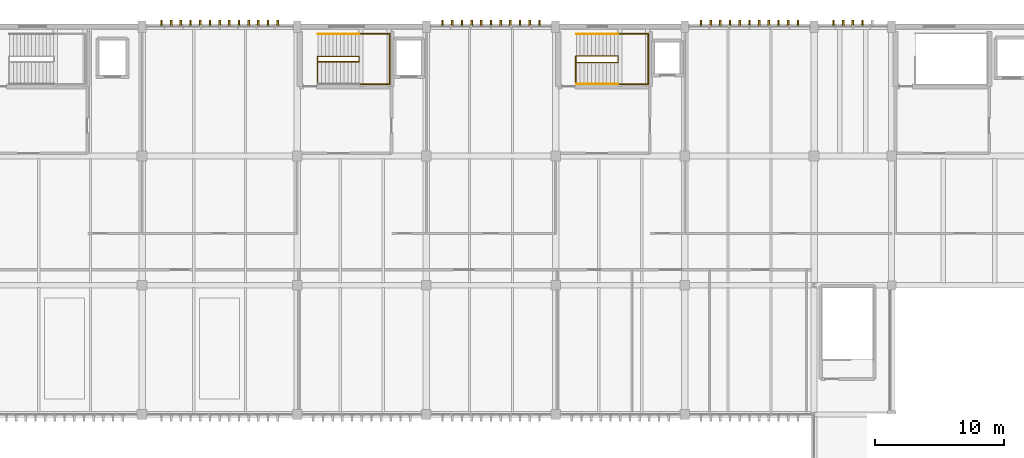
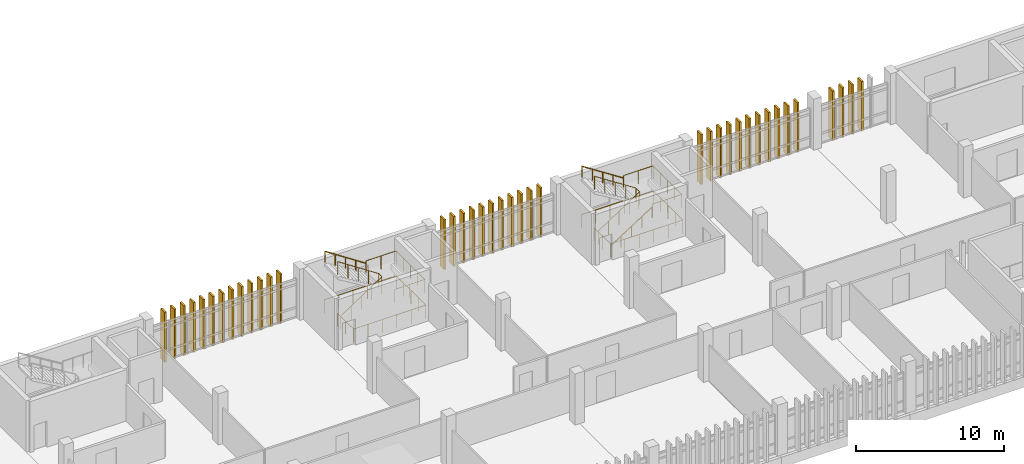
# One storey, part 159 of 161: 39 shading devices, 9 railings.
"""IFC4 building model written with IfcOpenShell, lengths in metres."""

from ifc_helpers import new_model, si_unit, direction, frame, origin, origin_2d, place, context, subcontext, project, spatial, rectangle, circle, extrude, material, type_object, element, save


model = new_model("IFC4")

# Units and contexts
model_context = context("Model", 3, precision=1e-05, world=origin(), true_north=direction((0.0, 1.0)))
body_context = subcontext(model_context, "Body", "Model", "MODEL_VIEW")
ifc_project = project(units=[si_unit("LENGTHUNIT", "METRE"), si_unit("AREAUNIT", "SQUARE_METRE"), si_unit("VOLUMEUNIT", "CUBIC_METRE"), si_unit("PLANEANGLEUNIT", "RADIAN"), si_unit("MASSUNIT", "GRAM", prefix="KILO")], contexts=[model_context])

# Site, building, storey
site_placement = place(None, origin())
site = spatial("IfcSite", under=ifc_project, at=site_placement, CompositionType="ELEMENT")
building_placement = place(site_placement, origin())
building = spatial("IfcBuilding", under=site, at=building_placement, Name="Mersad Railyard Sports Hall", CompositionType="ELEMENT")
storey_placement = place(building_placement, frame((0.0, 0.0, 4.800048828125)))
storey = spatial("IfcBuildingStorey", under=building, at=storey_placement, Name="L01", CompositionType="ELEMENT", Elevation=4.800048828125)

# Railings
ifc_material_1 = material(Name="Steel S355", Category="steel")
railing_type_1 = type_object("IfcRailingType", Name="ARC-RL-GR01", PredefinedType="GUARDRAIL", material=ifc_material_1)
railing_1_placement = place(storey_placement, frame((92.56005859375, 112.68994140625, 0.0)))
element("IfcRailing", 1, at=railing_1_placement, inside=storey, type_object=railing_type_1, Name="Interior guard GR01-0040", PredefinedType="GUARDRAIL", context=body_context, shape_type="SweptSolid", body=[
    extrude(circle(Radius=0.02392578125, at=origin_2d()), frame((0.0, 0.0, 1.09619140625), z_axis=(0.0, -1.0, 0.0), x_axis=(1.0, 0.0, 0.0)), (0.0, 0.0, 1.0), 2.169921875),
    extrude(circle(Radius=0.02392578125, at=origin_2d()), frame((0.0, -2.169921875, 1.09619140625), z_axis=(1.0, 0.0, 0.0), x_axis=(0.0, 1.0, 0.0)), (0.0, 0.0, 1.0), 5.619873046875),
    extrude(circle(Radius=0.02392578125, at=origin_2d()), frame((5.619873046875, -2.169921875, 1.09619140625), z_axis=(0.0, 1.0, 0.0), x_axis=(-1.0, 0.0, 0.0)), (0.0, 0.0, 1.0), 3.9599609375),
    extrude(circle(Radius=0.02392578125, at=origin_2d()), frame((5.619873046875, 1.7900390625, 1.09619140625), z_axis=(-1.0, 0.0, 0.0), x_axis=(0.0, -1.0, 0.0)), (0.0, 0.0, 1.0), 5.619873046875),
    extrude(circle(Radius=0.02099609375, at=origin_2d()), origin(), (0.0, 0.0, 1.0), 1.072021484375),
    extrude(circle(Radius=0.02099609375, at=origin_2d()), frame((0.0, -1.0849609375, 0.0)), (0.0, 0.0, 1.0), 1.072021484375),
    extrude(circle(Radius=0.02099609375, at=origin_2d()), frame((0.0, -2.169921875, 0.0)), (0.0, 0.0, 1.0), 1.072021484375),
    extrude(circle(Radius=0.02099609375, at=origin_2d()), frame((1.1240234375, -2.169921875, 0.0)), (0.0, 0.0, 1.0), 1.072021484375),
    extrude(circle(Radius=0.02099609375, at=origin_2d()), frame((2.248046875, -2.169921875, 0.0)), (0.0, 0.0, 1.0), 1.072021484375),
    extrude(circle(Radius=0.02099609375, at=origin_2d()), frame((3.371826171875, -2.169921875, 0.0)), (0.0, 0.0, 1.0), 1.072021484375),
    extrude(circle(Radius=0.02099609375, at=origin_2d()), frame((4.495849609375, -2.169921875, 0.0)), (0.0, 0.0, 1.0), 1.072021484375),
    extrude(circle(Radius=0.02099609375, at=origin_2d()), frame((5.619873046875, -2.169921875, 0.0)), (0.0, 0.0, 1.0), 1.072021484375),
    extrude(circle(Radius=0.02099609375, at=origin_2d()), frame((5.619873046875, -1.179931640625, 0.0)), (0.0, 0.0, 1.0), 1.072021484375),
    extrude(circle(Radius=0.02099609375, at=origin_2d()), frame((5.619873046875, -0.18994140625, 0.0)), (0.0, 0.0, 1.0), 1.072021484375),
    extrude(circle(Radius=0.02099609375, at=origin_2d()), frame((5.619873046875, 0.800048828125, 0.0)), (0.0, 0.0, 1.0), 1.072021484375),
    extrude(circle(Radius=0.02099609375, at=origin_2d()), frame((5.619873046875, 1.7900390625, 0.0)), (0.0, 0.0, 1.0), 1.072021484375),
    extrude(circle(Radius=0.02099609375, at=origin_2d()), frame((4.495849609375, 1.7900390625, 0.0)), (0.0, 0.0, 1.0), 1.072021484375),
    extrude(circle(Radius=0.02099609375, at=origin_2d()), frame((3.371826171875, 1.7900390625, 0.0)), (0.0, 0.0, 1.0), 1.072021484375),
    extrude(circle(Radius=0.02099609375, at=origin_2d()), frame((2.248046875, 1.7900390625, 0.0)), (0.0, 0.0, 1.0), 1.072021484375),
    extrude(circle(Radius=0.02099609375, at=origin_2d()), frame((1.1240234375, 1.7900390625, 0.0)), (0.0, 0.0, 1.0), 1.072021484375),
    extrude(circle(Radius=0.02099609375, at=origin_2d()), frame((0.0, 1.7900390625, 0.0)), (0.0, 0.0, 1.0), 1.072021484375),
])
railing_2_placement = place(storey_placement, frame((92.60009765625, 112.2900390625, 0.0)))
element("IfcRailing", 2, at=railing_2_placement, inside=storey, type_object=railing_type_1, Name="Interior guard GR01-0043", PredefinedType="GUARDRAIL", context=body_context, shape_type="SweptSolid", body=[
    extrude(circle(Radius=0.02392578125, at=origin_2d()), frame((0.0, 0.0, 1.09619140625), z_axis=(0.835271834381, 0.0, 0.549837214719), x_axis=(0.0, 1.0, 0.0)), (0.0, 0.0, 1.0), 3.819091796875),
    extrude(circle(Radius=0.02392578125, at=origin_2d()), frame((3.18994140625, 0.0, 3.19580078125), z_axis=(0.0, 1.0, 0.0), x_axis=(-1.0, 0.0, 0.0)), (0.0, 0.0, 1.0), 0.419921875),
    extrude(circle(Radius=0.02392578125, at=origin_2d()), frame((3.18994140625, 0.419921875, 3.19580078125), z_axis=(-0.835242474824, 0.0, 0.549881812983), x_axis=(0.0, -1.0, 0.0)), (0.0, 0.0, 1.0), 3.819091796875),
    extrude(circle(Radius=0.02099609375, at=origin_2d()), origin(), (0.0, 0.0, 1.0), 1.072021484375),
    extrude(circle(Radius=0.02099609375, at=origin_2d()), frame((0.79736328125, 0.0, 0.52490234375)), (0.0, 0.0, 1.0), 1.072021484375),
    extrude(circle(Radius=0.02099609375, at=origin_2d()), frame((1.594970703125, 0.0, 1.0498046875)), (0.0, 0.0, 1.0), 1.072021484375),
    extrude(circle(Radius=0.02099609375, at=origin_2d()), frame((2.392578125, 0.0, 1.574951171875)), (0.0, 0.0, 1.0), 1.072021484375),
    extrude(circle(Radius=0.02099609375, at=origin_2d()), frame((3.18994140625, 0.0, 2.099853515625)), (0.0, 0.0, 1.0), 1.072021484375),
    extrude(circle(Radius=0.02099609375, at=origin_2d()), frame((3.18994140625, 0.419921875, 2.099853515625)), (0.0, 0.0, 1.0), 1.072021484375),
    extrude(circle(Radius=0.02099609375, at=origin_2d()), frame((2.392578125, 0.419921875, 2.625)), (0.0, 0.0, 1.0), 1.072021484375),
    extrude(circle(Radius=0.02099609375, at=origin_2d()), frame((1.594970703125, 0.419921875, 3.14990234375)), (0.0, 0.0, 1.0), 1.072021484375),
    extrude(circle(Radius=0.02099609375, at=origin_2d()), frame((0.79736328125, 0.419921875, 3.6748046875)), (0.0, 0.0, 1.0), 1.072021484375),
    extrude(circle(Radius=0.02099609375, at=origin_2d()), frame((0.0, 0.419921875, 4.199951171875)), (0.0, 0.0, 1.0), 1.072021484375),
])
railing_3_placement = place(storey_placement, frame((95.7900390625, 110.56005859375, 2.099853515625)))
element("IfcRailing", 3, at=railing_3_placement, inside=storey, type_object=railing_type_1, Name="Interior guard GR01-0044", PredefinedType="GUARDRAIL", context=body_context, shape_type="SweptSolid", body=[
    extrude(circle(Radius=0.02392578125, at=origin_2d()), frame((0.0, 0.0, 1.09619140625), z_axis=(1.0, 0.0, 0.0), x_axis=(0.0, 1.0, 0.0)), (0.0, 0.0, 1.0), 2.349853515625),
    extrude(circle(Radius=0.02392578125, at=origin_2d()), frame((2.349853515625, 0.0, 1.09619140625), z_axis=(0.0, 1.0, 0.0), x_axis=(-1.0, 0.0, 0.0)), (0.0, 0.0, 1.0), 3.8798828125),
    extrude(circle(Radius=0.02392578125, at=origin_2d()), frame((2.349853515625, 3.8798828125, 1.09619140625), z_axis=(-1.0, 0.0, 0.0), x_axis=(0.0, -1.0, 0.0)), (0.0, 0.0, 1.0), 2.349853515625),
    extrude(circle(Radius=0.02099609375, at=origin_2d()), origin(), (0.0, 0.0, 1.0), 1.072021484375),
    extrude(circle(Radius=0.02099609375, at=origin_2d()), frame((1.1748046875, 0.0, 0.0)), (0.0, 0.0, 1.0), 1.072021484375),
    extrude(circle(Radius=0.02099609375, at=origin_2d()), frame((2.349853515625, 0.0, 0.0)), (0.0, 0.0, 1.0), 1.072021484375),
    extrude(circle(Radius=0.02099609375, at=origin_2d()), frame((2.349853515625, 0.969970703125, 0.0)), (0.0, 0.0, 1.0), 1.072021484375),
    extrude(circle(Radius=0.02099609375, at=origin_2d()), frame((2.349853515625, 1.93994140625, 0.0)), (0.0, 0.0, 1.0), 1.072021484375),
    extrude(circle(Radius=0.02099609375, at=origin_2d()), frame((2.349853515625, 2.909912109375, 0.0)), (0.0, 0.0, 1.0), 1.072021484375),
    extrude(circle(Radius=0.02099609375, at=origin_2d()), frame((2.349853515625, 3.8798828125, 0.0)), (0.0, 0.0, 1.0), 1.072021484375),
    extrude(circle(Radius=0.02099609375, at=origin_2d()), frame((1.1748046875, 3.8798828125, 0.0)), (0.0, 0.0, 1.0), 1.072021484375),
    extrude(circle(Radius=0.02099609375, at=origin_2d()), frame((0.0, 3.8798828125, 0.0)), (0.0, 0.0, 1.0), 1.072021484375),
])
railing_4_placement = place(storey_placement, frame((112.56005859375, 112.72998046875, 0.0)))
element("IfcRailing", 4, at=railing_4_placement, inside=storey, type_object=railing_type_1, Name="Interior guard GR01-0070", PredefinedType="GUARDRAIL", context=body_context, shape_type="SweptSolid", body=[
    extrude(circle(Radius=0.02392578125, at=origin_2d()), frame((0.0, 0.0, 1.09619140625), z_axis=(0.0, -1.0, 0.0), x_axis=(1.0, 0.0, 0.0)), (0.0, 0.0, 1.0), 2.2099609375),
    extrude(circle(Radius=0.02392578125, at=origin_2d()), frame((0.0, -2.2099609375, 1.09619140625), z_axis=(1.0, 0.0, 0.0), x_axis=(0.0, 1.0, 0.0)), (0.0, 0.0, 1.0), 5.619873046875),
    extrude(circle(Radius=0.02392578125, at=origin_2d()), frame((5.619873046875, -2.2099609375, 1.09619140625), z_axis=(0.0, 1.0, 0.0), x_axis=(-1.0, 0.0, 0.0)), (0.0, 0.0, 1.0), 3.9599609375),
    extrude(circle(Radius=0.02392578125, at=origin_2d()), frame((5.619873046875, 1.75, 1.09619140625), z_axis=(-1.0, 0.0, 0.0), x_axis=(0.0, -1.0, 0.0)), (0.0, 0.0, 1.0), 5.619873046875),
    extrude(circle(Radius=0.02099609375, at=origin_2d()), origin(), (0.0, 0.0, 1.0), 1.072021484375),
    extrude(circle(Radius=0.02099609375, at=origin_2d()), frame((0.0, -1.10498046875, 0.0)), (0.0, 0.0, 1.0), 1.072021484375),
    extrude(circle(Radius=0.02099609375, at=origin_2d()), frame((0.0, -2.2099609375, 0.0)), (0.0, 0.0, 1.0), 1.072021484375),
    extrude(circle(Radius=0.02099609375, at=origin_2d()), frame((1.1240234375, -2.2099609375, 0.0)), (0.0, 0.0, 1.0), 1.072021484375),
    extrude(circle(Radius=0.02099609375, at=origin_2d()), frame((2.248046875, -2.2099609375, 0.0)), (0.0, 0.0, 1.0), 1.072021484375),
    extrude(circle(Radius=0.02099609375, at=origin_2d()), frame((3.371826171875, -2.2099609375, 0.0)), (0.0, 0.0, 1.0), 1.072021484375),
    extrude(circle(Radius=0.02099609375, at=origin_2d()), frame((4.495849609375, -2.2099609375, 0.0)), (0.0, 0.0, 1.0), 1.072021484375),
    extrude(circle(Radius=0.02099609375, at=origin_2d()), frame((5.619873046875, -2.2099609375, 0.0)), (0.0, 0.0, 1.0), 1.072021484375),
    extrude(circle(Radius=0.02099609375, at=origin_2d()), frame((5.619873046875, -1.219970703125, 0.0)), (0.0, 0.0, 1.0), 1.072021484375),
    extrude(circle(Radius=0.02099609375, at=origin_2d()), frame((5.619873046875, -0.22998046875, 0.0)), (0.0, 0.0, 1.0), 1.072021484375),
    extrude(circle(Radius=0.02099609375, at=origin_2d()), frame((5.619873046875, 0.760009765625, 0.0)), (0.0, 0.0, 1.0), 1.072021484375),
    extrude(circle(Radius=0.02099609375, at=origin_2d()), frame((5.619873046875, 1.75, 0.0)), (0.0, 0.0, 1.0), 1.072021484375),
    extrude(circle(Radius=0.02099609375, at=origin_2d()), frame((4.495849609375, 1.75, 0.0)), (0.0, 0.0, 1.0), 1.072021484375),
    extrude(circle(Radius=0.02099609375, at=origin_2d()), frame((3.371826171875, 1.75, 0.0)), (0.0, 0.0, 1.0), 1.072021484375),
    extrude(circle(Radius=0.02099609375, at=origin_2d()), frame((2.248046875, 1.75, 0.0)), (0.0, 0.0, 1.0), 1.072021484375),
    extrude(circle(Radius=0.02099609375, at=origin_2d()), frame((1.1240234375, 1.75, 0.0)), (0.0, 0.0, 1.0), 1.072021484375),
    extrude(circle(Radius=0.02099609375, at=origin_2d()), frame((0.0, 1.75, 0.0)), (0.0, 0.0, 1.0), 1.072021484375),
])
railing_5_placement = place(storey_placement, frame((112.60009765625, 112.25, 0.0)))
element("IfcRailing", 5, at=railing_5_placement, inside=storey, type_object=railing_type_1, Name="Interior guard GR01-0073", PredefinedType="GUARDRAIL", context=body_context, shape_type="SweptSolid", body=[
    extrude(circle(Radius=0.02392578125, at=origin_2d()), frame((0.0, 0.0, 1.09619140625), z_axis=(0.838701020505, 0.0, 0.544592139315), x_axis=(0.0, 1.0, 0.0)), (0.0, 0.0, 1.0), 3.855712890625),
    extrude(circle(Radius=0.02392578125, at=origin_2d()), frame((3.23388671875, 0.0, 3.19580078125), z_axis=(0.0, 1.0, 0.0), x_axis=(-1.0, 0.0, 0.0)), (0.0, 0.0, 1.0), 0.5),
    extrude(circle(Radius=0.02392578125, at=origin_2d()), frame((3.23388671875, 0.5, 3.19580078125), z_axis=(-0.838672100142, 0.0, 0.544636675632), x_axis=(0.0, -1.0, 0.0)), (0.0, 0.0, 1.0), 3.85595703125),
    extrude(circle(Radius=0.02099609375, at=origin_2d()), origin(), (0.0, 0.0, 1.0), 1.072021484375),
    extrude(circle(Radius=0.02099609375, at=origin_2d()), frame((0.80859375, 0.0, 0.52490234375)), (0.0, 0.0, 1.0), 1.072021484375),
    extrude(circle(Radius=0.02099609375, at=origin_2d()), frame((1.616943359375, 0.0, 1.0498046875)), (0.0, 0.0, 1.0), 1.072021484375),
    extrude(circle(Radius=0.02099609375, at=origin_2d()), frame((2.42529296875, 0.0, 1.574951171875)), (0.0, 0.0, 1.0), 1.072021484375),
    extrude(circle(Radius=0.02099609375, at=origin_2d()), frame((3.23388671875, 0.0, 2.099853515625)), (0.0, 0.0, 1.0), 1.072021484375),
    extrude(circle(Radius=0.02099609375, at=origin_2d()), frame((3.23388671875, 0.5, 2.099853515625)), (0.0, 0.0, 1.0), 1.072021484375),
    extrude(circle(Radius=0.02099609375, at=origin_2d()), frame((2.42529296875, 0.5, 2.625)), (0.0, 0.0, 1.0), 1.072021484375),
    extrude(circle(Radius=0.02099609375, at=origin_2d()), frame((1.616943359375, 0.5, 3.14990234375)), (0.0, 0.0, 1.0), 1.072021484375),
    extrude(circle(Radius=0.02099609375, at=origin_2d()), frame((0.80859375, 0.5, 3.6748046875)), (0.0, 0.0, 1.0), 1.072021484375),
    extrude(circle(Radius=0.02099609375, at=origin_2d()), frame((0.0, 0.5, 4.199951171875)), (0.0, 0.0, 1.0), 1.072021484375),
])
railing_6_placement = place(storey_placement, frame((115.833984375, 110.56005859375, 2.099853515625)))
element("IfcRailing", 6, at=railing_6_placement, inside=storey, type_object=railing_type_1, Name="Interior guard GR01-0074", PredefinedType="GUARDRAIL", context=body_context, shape_type="SweptSolid", body=[
    extrude(circle(Radius=0.02392578125, at=origin_2d()), frame((0.0, 0.0, 1.09619140625), z_axis=(1.0, 0.0, 0.0), x_axis=(0.0, 1.0, 0.0)), (0.0, 0.0, 1.0), 2.305908203125),
    extrude(circle(Radius=0.02392578125, at=origin_2d()), frame((2.305908203125, 0.0, 1.09619140625), z_axis=(0.0, 1.0, 0.0), x_axis=(-1.0, 0.0, 0.0)), (0.0, 0.0, 1.0), 3.8798828125),
    extrude(circle(Radius=0.02392578125, at=origin_2d()), frame((2.305908203125, 3.8798828125, 1.09619140625), z_axis=(-1.0, 0.0, 0.0), x_axis=(0.0, -1.0, 0.0)), (0.0, 0.0, 1.0), 2.305908203125),
    extrude(circle(Radius=0.02099609375, at=origin_2d()), origin(), (0.0, 0.0, 1.0), 1.072021484375),
    extrude(circle(Radius=0.02099609375, at=origin_2d()), frame((1.15283203125, 0.0, 0.0)), (0.0, 0.0, 1.0), 1.072021484375),
    extrude(circle(Radius=0.02099609375, at=origin_2d()), frame((2.305908203125, 0.0, 0.0)), (0.0, 0.0, 1.0), 1.072021484375),
    extrude(circle(Radius=0.02099609375, at=origin_2d()), frame((2.305908203125, 0.969970703125, 0.0)), (0.0, 0.0, 1.0), 1.072021484375),
    extrude(circle(Radius=0.02099609375, at=origin_2d()), frame((2.305908203125, 1.93994140625, 0.0)), (0.0, 0.0, 1.0), 1.072021484375),
    extrude(circle(Radius=0.02099609375, at=origin_2d()), frame((2.305908203125, 2.909912109375, 0.0)), (0.0, 0.0, 1.0), 1.072021484375),
    extrude(circle(Radius=0.02099609375, at=origin_2d()), frame((2.305908203125, 3.8798828125, 0.0)), (0.0, 0.0, 1.0), 1.072021484375),
    extrude(circle(Radius=0.02099609375, at=origin_2d()), frame((1.15283203125, 3.8798828125, 0.0)), (0.0, 0.0, 1.0), 1.072021484375),
    extrude(circle(Radius=0.02099609375, at=origin_2d()), frame((0.0, 3.8798828125, 0.0)), (0.0, 0.0, 1.0), 1.072021484375),
])
railing_type_2 = type_object("IfcRailingType", Name="ARC-RL-HR01", PredefinedType="HANDRAIL", material=ifc_material_1)
railing_7_placement = place(storey_placement, frame((95.7900390625, 114.43994140625, 2.099853515625)))
element("IfcRailing", 7, at=railing_7_placement, inside=storey, type_object=railing_type_2, Name="Interior handrail HR01-0042", PredefinedType="HANDRAIL", context=body_context, shape_type="SweptSolid", body=[
    extrude(circle(Radius=0.02392578125, at=origin_2d()), frame((0.0, 0.0, 0.89599609375), z_axis=(-0.835242474824, 0.0, 0.549881812983), x_axis=(0.0, -1.0, 0.0)), (0.0, 0.0, 1.0), 3.819091796875),
    extrude(circle(Radius=0.02099609375, at=origin_2d()), origin(), (0.0, 0.0, 1.0), 0.871826171875),
    extrude(circle(Radius=0.02099609375, at=origin_2d()), frame((-0.79736328125, 0.0, 0.52490234375)), (0.0, 0.0, 1.0), 0.871826171875),
    extrude(circle(Radius=0.02099609375, at=origin_2d()), frame((-1.594970703125, 0.0, 1.050048828125)), (0.0, 0.0, 1.0), 0.871826171875),
    extrude(circle(Radius=0.02099609375, at=origin_2d()), frame((-2.392578125, 0.0, 1.5751953125)), (0.0, 0.0, 1.0), 0.871826171875),
    extrude(circle(Radius=0.02099609375, at=origin_2d()), frame((-3.18994140625, 0.0, 2.10009765625)), (0.0, 0.0, 1.0), 0.871826171875),
])
railing_8_placement = place(storey_placement, frame((112.60009765625, 110.56005859375, 0.0)))
element("IfcRailing", 8, at=railing_8_placement, inside=storey, type_object=railing_type_2, Name="Interior handrail HR01-0071", PredefinedType="HANDRAIL", context=body_context, shape_type="SweptSolid", body=[
    extrude(circle(Radius=0.02392578125, at=origin_2d()), frame((0.0, 0.0, 0.89599609375), z_axis=(0.838701020505, 0.0, 0.544592139315), x_axis=(0.0, 1.0, 0.0)), (0.0, 0.0, 1.0), 3.855712890625),
    extrude(circle(Radius=0.02099609375, at=origin_2d()), origin(), (0.0, 0.0, 1.0), 0.871826171875),
    extrude(circle(Radius=0.02099609375, at=origin_2d()), frame((0.80859375, 0.0, 0.52490234375)), (0.0, 0.0, 1.0), 0.871826171875),
    extrude(circle(Radius=0.02099609375, at=origin_2d()), frame((1.616943359375, 0.0, 1.0498046875)), (0.0, 0.0, 1.0), 0.871826171875),
    extrude(circle(Radius=0.02099609375, at=origin_2d()), frame((2.42529296875, 0.0, 1.574951171875)), (0.0, 0.0, 1.0), 0.871826171875),
    extrude(circle(Radius=0.02099609375, at=origin_2d()), frame((3.23388671875, 0.0, 2.099853515625)), (0.0, 0.0, 1.0), 0.871826171875),
])
railing_9_placement = place(storey_placement, frame((115.833984375, 114.43994140625, 2.099853515625)))
element("IfcRailing", 9, at=railing_9_placement, inside=storey, type_object=railing_type_2, Name="Interior handrail HR01-0072", PredefinedType="HANDRAIL", context=body_context, shape_type="SweptSolid", body=[
    extrude(circle(Radius=0.02392578125, at=origin_2d()), frame((0.0, 0.0, 0.89599609375), z_axis=(-0.838672100142, 0.0, 0.544636675632), x_axis=(0.0, -1.0, 0.0)), (0.0, 0.0, 1.0), 3.85595703125),
    extrude(circle(Radius=0.02099609375, at=origin_2d()), origin(), (0.0, 0.0, 1.0), 0.871826171875),
    extrude(circle(Radius=0.02099609375, at=origin_2d()), frame((-0.80859375, 0.0, 0.52490234375)), (0.0, 0.0, 1.0), 0.871826171875),
    extrude(circle(Radius=0.02099609375, at=origin_2d()), frame((-1.616943359375, 0.0, 1.050048828125)), (0.0, 0.0, 1.0), 0.871826171875),
    extrude(circle(Radius=0.02099609375, at=origin_2d()), frame((-2.42529296875, 0.0, 1.5751953125)), (0.0, 0.0, 1.0), 0.871826171875),
    extrude(circle(Radius=0.02099609375, at=origin_2d()), frame((-3.23388671875, 0.0, 2.10009765625)), (0.0, 0.0, 1.0), 0.871826171875),
])

# Shading devices
ifc_material_2 = material(Name="Precast concrete C45/55", Category="concrete")
shading_device_type = type_object("IfcShadingDeviceType", Name="ARC-SH-FN01", PredefinedType="USERDEFINED", material=ifc_material_2)
for number, where, z_axis, x_axis, name in (
    (10, (80.5, 115.25, -0.10009765625), (0.0, 0.0, 1.0), (1.0, 0.0, 0.0), "Precast sun fin FN01-0157"),
    (11, (81.25, 115.25, -0.10009765625), (0.0, 0.0, 1.0), (1.0, 0.0, 0.0), "Precast sun fin FN01-0158"),
    (12, (82.0, 115.25, -0.10009765625), (0.0, 0.0, 1.0), (1.0, 0.0, 0.0), "Precast sun fin FN01-0159"),
    (13, (82.75, 115.25, -0.10009765625), (0.0, 0.0, 1.0), (1.0, 0.0, 0.0), "Precast sun fin FN01-0160"),
    (14, (83.5, 115.25, -0.10009765625), (0.0, 0.0, 1.0), (1.0, 0.0, 0.0), "Precast sun fin FN01-0161"),
    (15, (84.25, 115.25, -0.10009765625), (0.0, 0.0, 1.0), (1.0, 0.0, 0.0), "Precast sun fin FN01-0162"),
    (16, (85.0, 115.25, -0.10009765625), (0.0, 0.0, 1.0), (1.0, 0.0, 0.0), "Precast sun fin FN01-0163"),
    (17, (85.75, 115.25, -0.10009765625), (0.0, 0.0, 1.0), (1.0, 0.0, 0.0), "Precast sun fin FN01-0164"),
    (18, (86.5, 115.25, -0.10009765625), (0.0, 0.0, 1.0), (1.0, 0.0, 0.0), "Precast sun fin FN01-0165"),
    (19, (87.25, 115.25, -0.10009765625), (0.0, 0.0, 1.0), (1.0, 0.0, 0.0), "Precast sun fin FN01-0166"),
    (20, (88.0, 115.25, -0.10009765625), (0.0, 0.0, 1.0), (1.0, 0.0, 0.0), "Precast sun fin FN01-0167"),
    (21, (88.75, 115.25, -0.10009765625), (0.0, 0.0, 1.0), (1.0, 0.0, 0.0), "Precast sun fin FN01-0168"),
    (22, (89.5, 115.25, -0.10009765625), (0.0, 0.0, 1.0), (1.0, 0.0, 0.0), "Precast sun fin FN01-0169"),
    (23, (102.25, 115.25, -0.10009765625), (0.0, 0.0, 1.0), (1.0, 0.0, 0.0), "Precast sun fin FN01-0170"),
    (24, (103.0, 115.25, -0.10009765625), (0.0, 0.0, 1.0), (1.0, 0.0, 0.0), "Precast sun fin FN01-0171"),
    (25, (103.75, 115.25, -0.10009765625), (0.0, 0.0, 1.0), (1.0, 0.0, 0.0), "Precast sun fin FN01-0172"),
    (26, (104.5, 115.25, -0.10009765625), (0.0, 0.0, 1.0), (1.0, 0.0, 0.0), "Precast sun fin FN01-0173"),
    (27, (105.25, 115.25, -0.10009765625), (0.0, 0.0, 1.0), (1.0, 0.0, 0.0), "Precast sun fin FN01-0174"),
    (28, (106.0, 115.25, -0.10009765625), (0.0, 0.0, 1.0), (1.0, 0.0, 0.0), "Precast sun fin FN01-0175"),
    (29, (106.75, 115.25, -0.10009765625), (0.0, 0.0, 1.0), (1.0, 0.0, 0.0), "Precast sun fin FN01-0176"),
    (30, (107.5, 115.25, -0.10009765625), (0.0, 0.0, 1.0), (1.0, 0.0, 0.0), "Precast sun fin FN01-0177"),
    (31, (108.25, 115.25, -0.10009765625), (0.0, 0.0, 1.0), (1.0, 0.0, 0.0), "Precast sun fin FN01-0178"),
    (32, (109.0, 115.25, -0.10009765625), (0.0, 0.0, 1.0), (1.0, 0.0, 0.0), "Precast sun fin FN01-0179"),
    (33, (109.75, 115.25, -0.10009765625), (0.0, 0.0, 1.0), (1.0, 0.0, 0.0), "Precast sun fin FN01-0180"),
    (34, (122.25, 115.25, -0.10009765625), (0.0, 0.0, 1.0), (1.0, 0.0, 0.0), "Precast sun fin FN01-0181"),
    (35, (123.0, 115.25, -0.10009765625), (0.0, 0.0, 1.0), (1.0, 0.0, 0.0), "Precast sun fin FN01-0182"),
    (36, (123.75, 115.25, -0.10009765625), (0.0, 0.0, 1.0), (1.0, 0.0, 0.0), "Precast sun fin FN01-0183"),
    (37, (124.5, 115.25, -0.10009765625), (0.0, 0.0, 1.0), (1.0, 0.0, 0.0), "Precast sun fin FN01-0184"),
    (38, (125.25, 115.25, -0.10009765625), (0.0, 0.0, 1.0), (1.0, 0.0, 0.0), "Precast sun fin FN01-0185"),
    (39, (126.0, 115.25, -0.10009765625), (0.0, 0.0, 1.0), (1.0, 0.0, 0.0), "Precast sun fin FN01-0186"),
    (40, (126.75, 115.25, -0.10009765625), (0.0, 0.0, 1.0), (1.0, 0.0, 0.0), "Precast sun fin FN01-0187"),
    (41, (127.5, 115.25, -0.10009765625), (0.0, 0.0, 1.0), (1.0, 0.0, 0.0), "Precast sun fin FN01-0188"),
    (42, (128.25, 115.25, -0.10009765625), (0.0, 0.0, 1.0), (1.0, 0.0, 0.0), "Precast sun fin FN01-0189"),
    (43, (129.0, 115.25, -0.10009765625), (0.0, 0.0, 1.0), (1.0, 0.0, 0.0), "Precast sun fin FN01-0190"),
    (44, (129.75, 115.25, -0.10009765625), (0.0, 0.0, 1.0), (1.0, 0.0, 0.0), "Precast sun fin FN01-0191"),
    (45, (132.5, 115.25, -0.10009765625), (0.0, 0.0, 1.0), (1.0, 0.0, 0.0), "Precast sun fin FN01-0192"),
    (46, (133.25, 115.25, -0.10009765625), (0.0, 0.0, 1.0), (1.0, 0.0, 0.0), "Precast sun fin FN01-0193"),
    (47, (134.0, 115.25, -0.10009765625), (0.0, 0.0, 1.0), (1.0, 0.0, 0.0), "Precast sun fin FN01-0194"),
    (48, (134.75, 115.25, -0.10009765625), (0.0, 0.0, 1.0), (1.0, 0.0, 0.0), "Precast sun fin FN01-0195"),
):
    element("IfcShadingDevice", number, at=place(storey_placement, frame(where, z_axis=z_axis, x_axis=x_axis)), inside=storey, type_object=shading_device_type, Name=name, ObjectType="FIN", PredefinedType="USERDEFINED", context=body_context, shape_type="SweptSolid", body=[
        extrude(rectangle(XDim=0.139892578125, YDim=0.550048828125, at=origin_2d()), origin(), (0.0, 0.0, 1.0), 4.10009765625),
    ])

save(model, "model.ifc")
